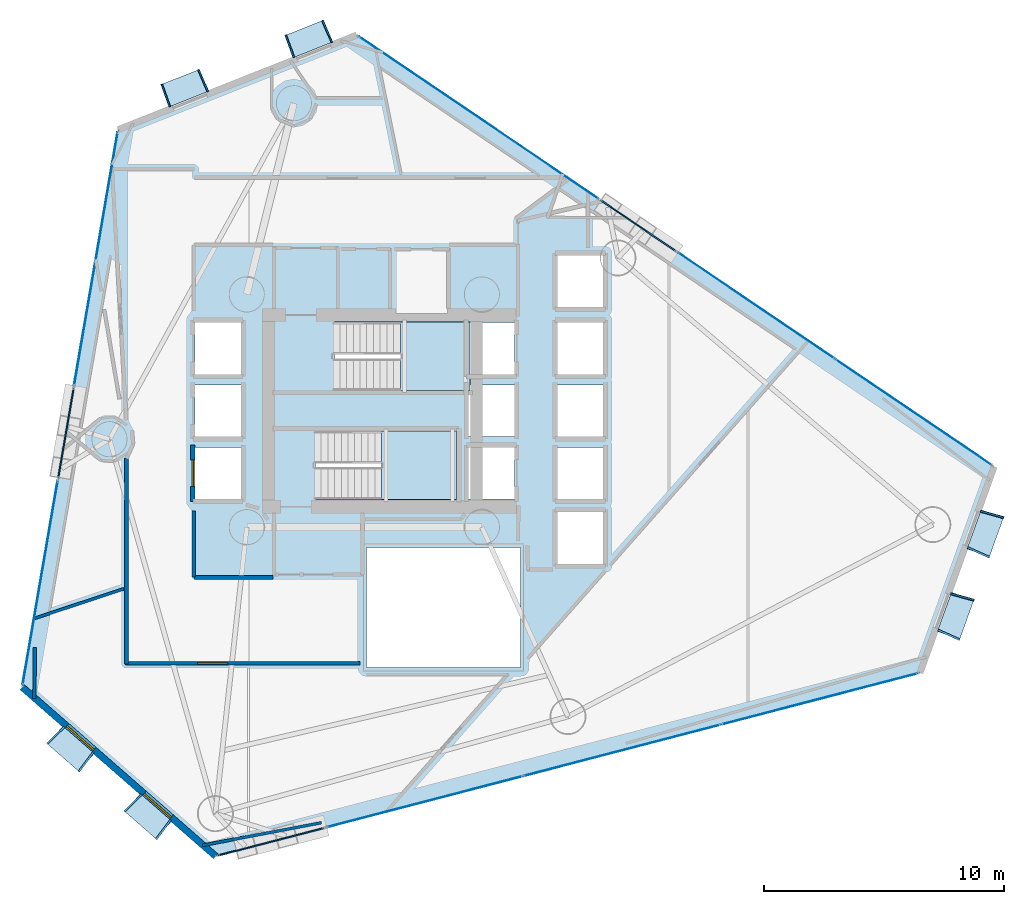
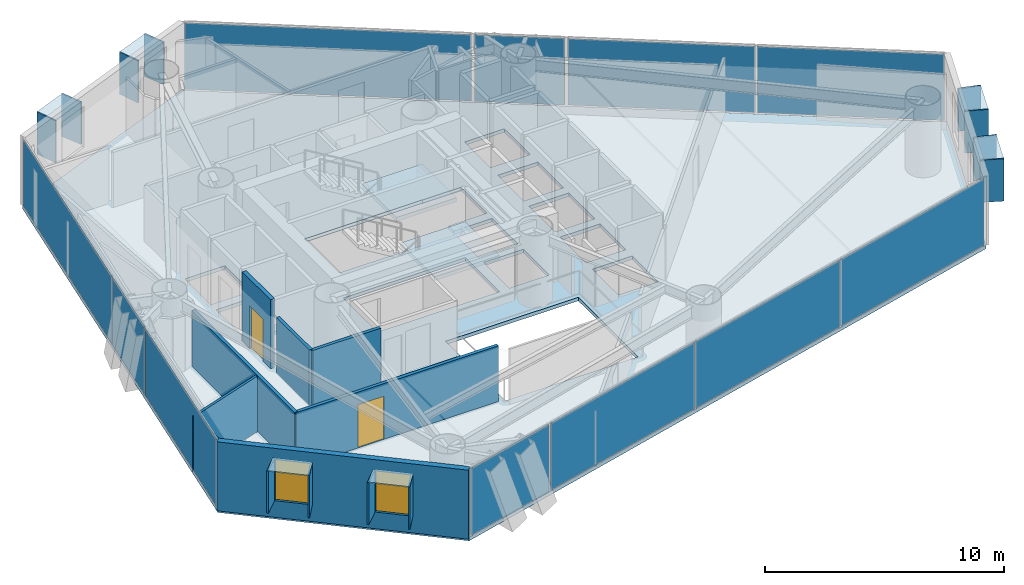
# One storey, part 15 of 21: 29 plates, 9 walls, 3 slabs, 2 doors, 2 windows, 4 openings, 10 elements without a shape of their own.
"""IFC4 building model written with IfcOpenShell, lengths in metres."""

from ifc_helpers import new_model, si_unit, direction, frame, frame_2d, origin, origin_2d, place, context, subcontext, project, spatial, polyline, rectangle, outline, extrude, material, layer, layer_set, type_object, element, fill, aggregate, save


model = new_model("IFC4")

# Units and contexts
model_context = context("Model", 3, precision=1e-05, world=origin(), true_north=direction((0.0, 1.0)))
body_context = subcontext(model_context, "Body", "Model", "MODEL_VIEW")
ifc_project = project(units=[si_unit("LENGTHUNIT", "METRE"), si_unit("AREAUNIT", "SQUARE_METRE"), si_unit("VOLUMEUNIT", "CUBIC_METRE"), si_unit("PLANEANGLEUNIT", "RADIAN"), si_unit("MASSUNIT", "GRAM", prefix="KILO")], contexts=[model_context])

# Site, building, storey
site_placement = place(None, origin())
site = spatial("IfcSite", under=ifc_project, at=site_placement, CompositionType="ELEMENT")
building_placement = place(site_placement, origin())
building = spatial("IfcBuilding", under=site, at=building_placement, Name="Qianvela Tower", CompositionType="ELEMENT")
storey_placement = place(building_placement, frame((0.0, 0.0, 108.89990234375)))
storey = spatial("IfcBuildingStorey", under=building, at=storey_placement, Name="L27", CompositionType="ELEMENT", Elevation=108.89990234375)

# Curtain wall, plate
ifc_material_1 = material(Name="Anodised Architectural Aluminium and Insulated Spandrel Panel", Category="aluminium")
ifc_layer_1 = layer(ifc_material_1, 0.179931640625)
ifc_layer_set_1 = layer_set([ifc_layer_1], Name="Anodised Architectural Aluminium and Insulated Spandrel Panel")
curtain_wall_type_1 = type_object("IfcCurtainWallType", Name="CW-BRACEBAY", PredefinedType="USERDEFINED", material=ifc_layer_set_1)
curtain_wall_1_placement = place(storey_placement, origin())
curtain_wall_1 = element("IfcCurtainWall", 1, at=curtain_wall_1_placement, inside=storey, type_object=curtain_wall_type_1, Name="L27 CW-BRACEBAY Curtain Wall 02B", ObjectType="CURTAIN_WALL_SYSTEM", PredefinedType="USERDEFINED")
ifc_material_2 = material(Name="Insulated Aluminium Spandrel Panel with Mineral-Wool Backpan", Category="aluminium")
ifc_layer_2 = layer(ifc_material_2, 0.06005859375)
ifc_layer_set_2 = layer_set([ifc_layer_2], Name="Insulated Aluminium Spandrel Panel with Mineral-Wool Backpan")
plate_type_1 = type_object("IfcPlateType", Name="CW-BRACEBAY-PNL", PredefinedType="CURTAIN_PANEL", material=ifc_layer_set_2)
plate_1_placement = place(storey_placement, frame((44.91455078125, 36.41748046875, 0.06494140625), z_axis=(0.0, 0.0, 1.0), x_axis=(-0.827943589849, 0.560811387213, 0.0)))
plate_1 = element("IfcPlate", 2, at=plate_1_placement, type_object=plate_type_1, Name="CW-9 panel 1.1", PredefinedType="CURTAIN_PANEL", context=body_context, shape_type="SweptSolid", body=[
    extrude(rectangle(XDim=3.780029296875, YDim=0.06005859375, at=origin_2d()), origin(), (0.0, 0.0, 1.0), 3.389892578125),
])
aggregate(curtain_wall_1, [plate_1])

curtain_wall_2_placement = place(storey_placement, origin())
curtain_wall_2 = element("IfcCurtainWall", 3, at=curtain_wall_2_placement, inside=storey, type_object=curtain_wall_type_1, Name="L27 CW-BRACEBAY Curtain Wall 04B", ObjectType="CURTAIN_WALL_SYSTEM", PredefinedType="USERDEFINED")
plate_2_placement = place(storey_placement, frame((21.06103515625, 27.766357421875, 0.06494140625), z_axis=(0.0, 0.0, 1.0), x_axis=(-0.169514646408, -0.985527668132, 0.0)))
plate_2 = element("IfcPlate", 4, at=plate_2_placement, type_object=plate_type_1, Name="CW-9 panel 1.1", PredefinedType="CURTAIN_PANEL", context=body_context, shape_type="SweptSolid", body=[
    extrude(rectangle(XDim=3.780029296875, YDim=0.06005859375, at=origin_2d()), origin(), (0.0, 0.0, 1.0), 3.389892578125),
])
aggregate(curtain_wall_2, [plate_2])

curtain_wall_3_placement = place(storey_placement, origin())
curtain_wall_3 = element("IfcCurtainWall", 5, at=curtain_wall_3_placement, inside=storey, type_object=curtain_wall_type_1, Name="L27 CW-BRACEBAY Curtain Wall 06A", ObjectType="CURTAIN_WALL_SYSTEM", PredefinedType="USERDEFINED")
plate_3_placement = place(storey_placement, frame((29.614013671875, 10.7373046875, 0.06494140625), z_axis=(0.0, 0.0, 1.0), x_axis=(0.967741276932, 0.251946067487, 0.0)))
plate_3 = element("IfcPlate", 6, at=plate_3_placement, type_object=plate_type_1, Name="CW-9 panel 1.1", PredefinedType="CURTAIN_PANEL", context=body_context, shape_type="SweptSolid", body=[
    extrude(rectangle(XDim=4.550048828125, YDim=0.06005859375, at=origin_2d()), origin(), (0.0, 0.0, 1.0), 3.389892578125),
])
aggregate(curtain_wall_3, [plate_3])

# Curtain wall, plates
ifc_material_3 = material(Name="Anodised Architectural Aluminium and Low-E Glass", Category="aluminium")
ifc_layer_3 = layer(ifc_material_3, 0.169921875)
ifc_layer_set_3 = layer_set([ifc_layer_3], Name="Anodised Architectural Aluminium and Low-E Glass")
curtain_wall_type_2 = type_object("IfcCurtainWallType", Name="CW-COLIV-Z34", PredefinedType="USERDEFINED", material=ifc_layer_set_3)
curtain_wall_4_placement = place(storey_placement, origin())
curtain_wall_4 = element("IfcCurtainWall", 7, at=curtain_wall_4_placement, inside=storey, type_object=curtain_wall_type_2, Name="L27 CW-COLIV-Z34 Curtain Wall 02A", ObjectType="CURTAIN_WALL_SYSTEM", PredefinedType="USERDEFINED")
ifc_material_4 = material(Name="Double-Silver Low-E Insulated Glass", Category="glass")
ifc_layer_4 = layer(ifc_material_4, 0.028076171875)
ifc_layer_set_4 = layer_set([ifc_layer_4], Name="Double-Silver Low-E Insulated Glass")
plate_type_2 = type_object("IfcPlateType", Name="CW-COLIV-Z34-PNL", PredefinedType="CURTAIN_PANEL", material=ifc_layer_set_4)
plate_4_placement = place(storey_placement, frame((56.399169921875, 28.63818359375, 0.06494140625), z_axis=(0.0, 0.0, 1.0), x_axis=(-0.8279314941, 0.560829244135, 0.0)))
plate_4 = element("IfcPlate", 8, at=plate_4_placement, type_object=plate_type_2, Name="CW-4 panel 1.1", PredefinedType="CURTAIN_PANEL", context=body_context, shape_type="SweptSolid", body=[
    extrude(rectangle(XDim=7.857421875, YDim=0.028076171875, at=origin_2d()), origin(), (0.0, 0.0, 1.0), 3.389892578125),
])
plate_5_placement = place(storey_placement, frame((49.83984375, 33.081298828125, 0.06494140625), z_axis=(0.0, 0.0, 1.0), x_axis=(-0.8279314941, 0.560829244135, 0.0)))
plate_5 = element("IfcPlate", 9, at=plate_5_placement, type_object=plate_type_2, Name="CW-4 panel 2.1", PredefinedType="CURTAIN_PANEL", context=body_context, shape_type="SweptSolid", body=[
    extrude(rectangle(XDim=7.857421875, YDim=0.028076171875, at=origin_2d()), origin(), (0.0, 0.0, 1.0), 3.389892578125),
])
aggregate(curtain_wall_4, [plate_4, plate_5])

# Curtain wall, plate
curtain_wall_5_placement = place(storey_placement, origin())
curtain_wall_5 = element("IfcCurtainWall", 10, at=curtain_wall_5_placement, inside=storey, type_object=curtain_wall_type_2, Name="L27 CW-COLIV-Z34 Curtain Wall 02C", ObjectType="CURTAIN_WALL_SYSTEM", PredefinedType="USERDEFINED")
plate_6_placement = place(storey_placement, frame((38.2626953125, 40.92333984375, 0.06494140625), z_axis=(0.0, 0.0, 1.0), x_axis=(-0.827932980815, 0.560827049346, 0.0)))
plate_6 = element("IfcPlate", 11, at=plate_6_placement, type_object=plate_type_2, Name="CW-4 panel 1.1", PredefinedType="CURTAIN_PANEL", context=body_context, shape_type="SweptSolid", body=[
    extrude(rectangle(XDim=12.028564453125, YDim=0.028076171875, at=origin_2d()), origin(), (0.0, 0.0, 1.0), 3.389892578125),
])
aggregate(curtain_wall_5, [plate_6])

curtain_wall_6_placement = place(storey_placement, origin())
curtain_wall_6 = element("IfcCurtainWall", 12, at=curtain_wall_6_placement, inside=storey, type_object=curtain_wall_type_2, Name="L27 CW-COLIV-Z34 Curtain Wall 04A", ObjectType="CURTAIN_WALL_SYSTEM", PredefinedType="USERDEFINED")
plate_7_placement = place(storey_placement, frame((22.310546875, 35.02978515625, 0.06494140625), z_axis=(0.0, 0.0, 1.0), x_axis=(-0.169520699916, -0.985526626885, 0.0)))
plate_7 = element("IfcPlate", 13, at=plate_7_placement, type_object=plate_type_2, Name="CW-4 panel 1.1", PredefinedType="CURTAIN_PANEL", context=body_context, shape_type="SweptSolid", body=[
    extrude(rectangle(XDim=10.699951171875, YDim=0.028076171875, at=origin_2d()), origin(), (0.0, 0.0, 1.0), 3.389892578125),
])
aggregate(curtain_wall_6, [plate_7])

curtain_wall_7_placement = place(storey_placement, origin())
curtain_wall_7 = element("IfcCurtainWall", 14, at=curtain_wall_7_placement, inside=storey, type_object=curtain_wall_type_2, Name="L27 CW-COLIV-Z34 Curtain Wall 04C", ObjectType="CURTAIN_WALL_SYSTEM", PredefinedType="USERDEFINED")
plate_8_placement = place(storey_placement, frame((19.989013671875, 21.533935546875, 0.06494140625), z_axis=(0.0, 0.0, 1.0), x_axis=(-0.169522519491, -0.985526313898, 0.0)))
plate_8 = element("IfcPlate", 15, at=plate_8_placement, type_object=plate_type_2, Name="CW-4 panel 1.1", PredefinedType="CURTAIN_PANEL", context=body_context, shape_type="SweptSolid", body=[
    extrude(rectangle(XDim=8.608154296875, YDim=0.028076171875, at=origin_2d()), origin(), (0.0, 0.0, 1.0), 3.389892578125),
])
aggregate(curtain_wall_7, [plate_8])

# Curtain wall, plates
curtain_wall_8_placement = place(storey_placement, origin())
curtain_wall_8 = element("IfcCurtainWall", 16, at=curtain_wall_8_placement, inside=storey, type_object=curtain_wall_type_2, Name="L27 CW-COLIV-Z34 Curtain Wall 06B", ObjectType="CURTAIN_WALL_SYSTEM", PredefinedType="USERDEFINED")
plate_9_placement = place(storey_placement, frame((36.015625, 12.404052734375, 0.06494140625), z_axis=(0.0, 0.0, 1.0), x_axis=(0.9677404567, 0.251949218028, 0.0)))
plate_9 = element("IfcPlate", 17, at=plate_9_placement, type_object=plate_type_2, Name="CW-4 panel 1.1", PredefinedType="CURTAIN_PANEL", context=body_context, shape_type="SweptSolid", body=[
    extrude(rectangle(XDim=8.42041015625, YDim=0.028076171875, at=origin_2d()), origin(), (0.0, 0.0, 1.0), 3.389892578125),
])
plate_10_placement = place(storey_placement, frame((44.2431640625, 14.546142578125, 0.06494140625), z_axis=(0.0, 0.0, 1.0), x_axis=(0.9677404567, 0.251949218028, 0.0)))
plate_10 = element("IfcPlate", 18, at=plate_10_placement, type_object=plate_type_2, Name="CW-4 panel 2.1", PredefinedType="CURTAIN_PANEL", context=body_context, shape_type="SweptSolid", body=[
    extrude(rectangle(XDim=8.452880859375, YDim=0.028076171875, at=origin_2d()), origin(), (0.0, 0.0, 1.0), 3.389892578125),
])
plate_11_placement = place(storey_placement, frame((52.470703125, 16.68798828125, 0.06494140625), z_axis=(0.0, 0.0, 1.0), x_axis=(0.9677404567, 0.251949218028, 0.0)))
plate_11 = element("IfcPlate", 19, at=plate_11_placement, type_object=plate_type_2, Name="CW-4 panel 3.1", PredefinedType="CURTAIN_PANEL", context=body_context, shape_type="SweptSolid", body=[
    extrude(rectangle(XDim=8.42041015625, YDim=0.028076171875, at=origin_2d()), origin(), (0.0, 0.0, 1.0), 3.389892578125),
])
aggregate(curtain_wall_8, [plate_9, plate_10, plate_11])

# Slab
ifc_material_5 = material(Name="Concrete C40", Category="concrete")
ifc_layer_5 = layer(ifc_material_5, 0.179931640625)
ifc_layer_set_5 = layer_set([ifc_layer_5], Name="Concrete C40")
slab_type_1 = type_object("IfcSlabType", Name="SL-FLOOR-180", PredefinedType="FLOOR", material=ifc_layer_set_5)
slab_1_placement = place(storey_placement, frame((0.0, 0.0, -0.179931640625)))
element("IfcSlab", 20, at=slab_1_placement, inside=storey, type_object=slab_type_1, Name="L27 Composite Structural Floor Slab", PredefinedType="FLOOR", context=body_context, shape_type="SweptSolid", body=[
    extrude(outline(polyline([(56.656494140625, 17.77783203125), (59.7470703125, 26.370361328125), (33.188232421875, 44.36083984375), (23.23681640625, 40.41552734375), (19.239990234375, 17.1787109375), (27.301025390625, 10.13525390625), (56.656494140625, 17.77783203125)]), holes=[polyline([(40.0, 23.0), (33.60009765625, 23.0), (33.60009765625, 18.0), (40.0, 18.0), (40.0, 23.0)]), polyline([(28.360107421875, 25.02001953125), (28.360107421875, 27.179931640625), (26.43994140625, 27.179931640625), (26.43994140625, 25.02001953125), (28.360107421875, 25.02001953125)]), polyline([(37.35009765625, 25.0), (37.35009765625, 27.860107421875), (31.469970703125, 27.860107421875), (31.469970703125, 25.0), (37.35009765625, 25.0)]), polyline([(28.360107421875, 27.6201171875), (28.360107421875, 29.780029296875), (26.43994140625, 29.780029296875), (26.43994140625, 27.6201171875), (28.360107421875, 27.6201171875)]), polyline([(37.89990234375, 32.3798828125), (37.89990234375, 32.39990234375), (32.25, 32.39990234375), (32.25, 29.5400390625), (37.840087890625, 29.5400390625), (37.840087890625, 27.6201171875), (39.760009765625, 27.6201171875), (39.760009765625, 29.780029296875), (37.89990234375, 29.780029296875), (37.89990234375, 30.219970703125), (39.760009765625, 30.219970703125), (39.760009765625, 32.3798828125), (37.89990234375, 32.3798828125)]), polyline([(28.360107421875, 30.219970703125), (28.360107421875, 32.3798828125), (26.43994140625, 32.3798828125), (26.43994140625, 30.219970703125), (28.360107421875, 30.219970703125)]), polyline([(43.4599609375, 24.47998046875), (41.5400390625, 24.47998046875), (41.5400390625, 22.320068359375), (43.4599609375, 22.320068359375), (43.4599609375, 24.47998046875)]), polyline([(39.760009765625, 25.02001953125), (39.760009765625, 27.179931640625), (37.840087890625, 27.179931640625), (37.840087890625, 25.02001953125), (39.760009765625, 25.02001953125)]), polyline([(43.4599609375, 25.02001953125), (43.4599609375, 27.179931640625), (41.5400390625, 27.179931640625), (41.5400390625, 25.02001953125), (43.4599609375, 25.02001953125)]), polyline([(43.4599609375, 27.6201171875), (43.4599609375, 29.780029296875), (41.5400390625, 29.780029296875), (41.5400390625, 27.6201171875), (43.4599609375, 27.6201171875)]), polyline([(43.4599609375, 30.219970703125), (43.4599609375, 32.3798828125), (41.5400390625, 32.3798828125), (41.5400390625, 30.219970703125), (43.4599609375, 30.219970703125)]), polyline([(43.4599609375, 33.02001953125), (43.4599609375, 35.179931640625), (41.5400390625, 35.179931640625), (41.5400390625, 33.02001953125), (43.4599609375, 33.02001953125)])]), origin(), (0.0, 0.0, 1.0), 0.179931640625),
])

# Stair, slab
ifc_material_6 = material(Name="Concrete C40", Category="concrete")
stair_type = type_object("IfcStairType", Name="ST-DOGLEG-1350-R168-N22", PredefinedType="HALF_TURN_STAIR", material=ifc_material_6)
stair_1_placement = place(storey_placement, origin())
stair_1 = element("IfcStair", 21, at=stair_1_placement, inside=storey, type_object=stair_type, Name="L27 Smoke-Proof Core Stair ST-1", PredefinedType="HALF_TURN_STAIR")
ifc_material_7 = material(Name="Concrete C40", Category="concrete")
ifc_layer_6 = layer(ifc_material_7, 0.199951171875)
ifc_layer_set_6 = layer_set([ifc_layer_6], Name="Concrete C40")
slab_type_2 = type_object("IfcSlabType", Name="SL-STAIR-LANDING-200", PredefinedType="LANDING", material=ifc_layer_set_6)
slab_2_placement = place(storey_placement, frame((0.0, 0.0, 1.650146484375)))
slab_2 = element("IfcSlab", 22, at=slab_2_placement, type_object=slab_type_2, Name="ST-1 landing 1", PredefinedType="LANDING", context=body_context, shape_type="SweptSolid", body=[
    extrude(outline(polyline([(35.0, 29.5400390625), (37.89990234375, 29.5400390625), (37.89990234375, 32.39990234375), (35.0, 32.39990234375), (35.0, 29.5400390625)])), origin(), (0.0, 0.0, 1.0), 0.199951171875),
])
aggregate(stair_1, [slab_2])

stair_2_placement = place(storey_placement, origin())
stair_2 = element("IfcStair", 23, at=stair_2_placement, inside=storey, type_object=stair_type, Name="L27 Smoke-Proof Core Stair ST-2", PredefinedType="HALF_TURN_STAIR")
slab_3_placement = place(storey_placement, frame((0.0, 0.0, 1.650146484375)))
slab_3 = element("IfcSlab", 24, at=slab_3_placement, type_object=slab_type_2, Name="ST-2 landing 1", PredefinedType="LANDING", context=body_context, shape_type="SweptSolid", body=[
    extrude(outline(polyline([(34.219970703125, 25.0), (37.35009765625, 25.0), (37.35009765625, 27.860107421875), (34.219970703125, 27.860107421875), (34.219970703125, 25.0)])), origin(), (0.0, 0.0, 1.0), 0.199951171875),
])
aggregate(stair_2, [slab_3])

# Plates
ifc_material_8 = material(Name="Vitrified Architectural Terracotta Panel", Category="masonry")
ifc_layer_7 = layer(ifc_material_8, 0.06494140625)
ifc_layer_set_7 = layer_set([ifc_layer_7], Name="Vitrified Architectural Terracotta Panel")
plate_type_3 = type_object("IfcPlateType", Name="TERRACOTTA-SUNSHADE-HOOD-FOLD-B", PredefinedType="USERDEFINED", material=ifc_layer_set_7)
for number, where, z_axis, x_axis, name in (
    (25, (31.17333984375, 44.2021484375, 2.9599609375), (0.0, 0.0, 1.0), (-0.929609983774, -0.368544811479, 0.0), "L27 Terracotta Sunshade Hood FOLD-B"),
    (26, (26.0029296875, 42.15234375, 2.9599609375), (0.0, 0.0, 1.0), (-0.929609983774, -0.368544811479, 0.0), "L27 Terracotta Sunshade Hood FOLD-B"),
):
    element("IfcPlate", number, at=place(storey_placement, frame(where, z_axis=z_axis, x_axis=x_axis)), inside=storey, type_object=plate_type_3, Name=name, ObjectType="SUNSHADE", PredefinedType="USERDEFINED", context=body_context, shape_type="SweptSolid", body=[
        extrude(rectangle(XDim=1.739990234375, YDim=0.989990234375, at=origin_2d()), origin(), (0.0, 0.0, 1.0), 0.06005859375),
    ])
ifc_material_9 = material(Name="Vitrified Architectural Terracotta Panel", Category="masonry")
ifc_layer_8 = layer(ifc_material_9, 0.074951171875)
ifc_layer_set_8 = layer_set([ifc_layer_8], Name="Vitrified Architectural Terracotta Panel")
plate_type_4 = type_object("IfcPlateType", Name="TERRACOTTA-SUNSHADE-HOOD-FOLD-D", PredefinedType="USERDEFINED", material=ifc_layer_set_8)
for number, where, z_axis, x_axis, name in (
    (27, (58.1435546875, 20.154296875, 2.9599609375), (0.0, 0.0, 1.0), (0.338463667357, 0.940979460923, 0.0), "L27 Terracotta Sunshade Hood FOLD-D"),
    (28, (59.3798828125, 23.59130859375, 2.9599609375), (0.0, 0.0, 1.0), (0.338463667357, 0.940979460923, 0.0), "L27 Terracotta Sunshade Hood FOLD-D"),
    (29, (21.2666015625, 14.61767578125, 2.9599609375), (0.0, 0.0, 1.0), (0.753033078035, -0.657982661919, 0.0), "L27 Terracotta Sunshade Hood FOLD-D"),
    (30, (24.4912109375, 11.80029296875, 2.9599609375), (0.0, 0.0, 1.0), (0.753033078035, -0.657982661919, 0.0), "L27 Terracotta Sunshade Hood FOLD-D"),
):
    element("IfcPlate", number, at=place(storey_placement, frame(where, z_axis=z_axis, x_axis=x_axis)), inside=storey, type_object=plate_type_4, Name=name, ObjectType="SUNSHADE", PredefinedType="USERDEFINED", context=body_context, shape_type="SweptSolid", body=[
        extrude(rectangle(XDim=1.739990234375, YDim=0.989990234375, at=origin_2d()), origin(), (0.0, 0.0, 1.0), 0.06005859375),
    ])
ifc_material_10 = material(Name="Vitrified Architectural Terracotta Side Fin Panel", Category="masonry")
ifc_layer_9 = layer(ifc_material_10, 0.070068359375)
ifc_layer_set_9 = layer_set([ifc_layer_9], Name="Vitrified Architectural Terracotta Side Fin Panel")
plate_type_5 = type_object("IfcPlateType", Name="TERRACOTTA-SUNSHADE-STRUT-FOLD-B", PredefinedType="USERDEFINED", material=ifc_layer_set_9)
for number, where, z_axis, x_axis, name in (
    (31, (31.954345703125, 44.51171875, 0.85009765625), (0.0, 0.0, 1.0), (-0.917921594566, -0.396761825571, 0.0), "L27 Terracotta Sunshade Side Fin HL FOLD-B"),
    (32, (30.392578125, 43.892578125, 0.85009765625), (0.0, 0.0, 1.0), (-0.940431215753, -0.339984012032, 0.0), "L27 Terracotta Sunshade Side Fin HR FOLD-B"),
    (33, (26.783935546875, 42.4619140625, 0.85009765625), (0.0, 0.0, 1.0), (-0.917921594566, -0.396761825571, 0.0), "L27 Terracotta Sunshade Side Fin HL FOLD-B"),
    (34, (25.22216796875, 41.8427734375, 0.85009765625), (0.0, 0.0, 1.0), (-0.940431215753, -0.339984012032, 0.0), "L27 Terracotta Sunshade Side Fin HR FOLD-B"),
):
    element("IfcPlate", number, at=place(storey_placement, frame(where, z_axis=z_axis, x_axis=x_axis)), inside=storey, type_object=plate_type_5, Name=name, ObjectType="SUNSHADE", PredefinedType="USERDEFINED", context=body_context, shape_type="SweptSolid", body=[
        extrude(rectangle(XDim=0.070068359375, YDim=1.010009765625, at=origin_2d()), origin(), (0.0, 0.0, 1.0), 2.159912109375),
    ])
ifc_material_11 = material(Name="Vitrified Architectural Terracotta Side Fin Panel", Category="masonry")
ifc_layer_10 = layer(ifc_material_11, 0.080078125)
ifc_layer_set_10 = layer_set([ifc_layer_10], Name="Vitrified Architectural Terracotta Side Fin Panel")
plate_type_6 = type_object("IfcPlateType", Name="TERRACOTTA-SUNSHADE-STRUT-FOLD-D", PredefinedType="USERDEFINED", material=ifc_layer_set_10)
for number, where, z_axis, x_axis, name in (
    (35, (57.859130859375, 19.36376953125, 0.85009765625), (0.0, 0.0, 1.0), (0.407267522075, 0.913308910207, 0.0), "L27 Terracotta Sunshade Side Fin HL FOLD-D"),
    (36, (58.427734375, 20.944580078125, 0.85009765625), (0.0, 0.0, 1.0), (0.267798387767, 0.963474972954, 0.0), "L27 Terracotta Sunshade Side Fin HR FOLD-D"),
    (37, (59.095458984375, 22.80078125, 0.85009765625), (0.0, 0.0, 1.0), (0.407267522075, 0.913308910207, 0.0), "L27 Terracotta Sunshade Side Fin HL FOLD-D"),
    (38, (59.6640625, 24.381591796875, 0.85009765625), (0.0, 0.0, 1.0), (0.267798387767, 0.963474972954, 0.0), "L27 Terracotta Sunshade Side Fin HR FOLD-D"),
    (39, (20.63427734375, 15.17041015625, 0.85009765625), (0.0, 0.0, 1.0), (0.702200274807, -0.711979475871, 0.0), "L27 Terracotta Sunshade Side Fin HL FOLD-D"),
    (40, (21.8994140625, 14.06494140625, 0.85009765625), (0.0, 0.0, 1.0), (0.799724478106, -0.60036718691, 0.0), "L27 Terracotta Sunshade Side Fin HR FOLD-D"),
    (41, (23.858642578125, 12.352783203125, 0.85009765625), (0.0, 0.0, 1.0), (0.702200274807, -0.711979475871, 0.0), "L27 Terracotta Sunshade Side Fin HL FOLD-D"),
    (42, (25.123779296875, 11.24755859375, 0.85009765625), (0.0, 0.0, 1.0), (0.799724478106, -0.60036718691, 0.0), "L27 Terracotta Sunshade Side Fin HR FOLD-D"),
):
    element("IfcPlate", number, at=place(storey_placement, frame(where, z_axis=z_axis, x_axis=x_axis)), inside=storey, type_object=plate_type_6, Name=name, ObjectType="SUNSHADE", PredefinedType="USERDEFINED", context=body_context, shape_type="SweptSolid", body=[
        extrude(rectangle(XDim=0.080078125, YDim=1.010009765625, at=origin_2d()), origin(), (0.0, 0.0, 1.0), 2.159912109375),
    ])

# Wall, openings, windows
ifc_material_12 = material(Name="Terracotta Cladding on Concrete C40", Category="masonry")
ifc_layer_11 = layer(ifc_material_12, 0.280029296875)
ifc_layer_set_11 = layer_set([ifc_layer_11], Name="Terracotta Cladding on Concrete C40")
wall_type_1 = type_object("IfcWallType", Name="TERRACOTTA-WALL-280", PredefinedType="SOLIDWALL", material=ifc_layer_set_11)
wall_1_placement = place(storey_placement, frame((19.239990234375, 17.1787109375, 0.0), z_axis=(0.0, 0.0, 1.0), x_axis=(0.753037088213, -0.657978072413, 0.0)))
wall_1 = element("IfcWall", 43, at=wall_1_placement, inside=storey, type_object=wall_type_1, Name="L27 Terracotta Chamfer Facet Wall 5", PredefinedType="SOLIDWALL", context=body_context, shape_type="SweptSolid", body=[
    extrude(rectangle(XDim=10.70458984375, YDim=0.280029296875, at=frame_2d((5.352294921875, 0.0))), origin(), (0.0, 0.0, 1.0), 3.52001953125),
])
opening_1_placement = place(wall_1_placement, frame((2.46142578125, 0.0, 0.85009765625)))
opening_1 = element("IfcOpeningElement", 44, at=opening_1_placement, cuts=wall_1, Name="Opening W-02", PredefinedType="OPENING", context=body_context, shape_type="SweptSolid", body=[
    extrude(rectangle(XDim=1.5, YDim=2.10009765625, at=frame_2d((0.75, 1.050048828125))), frame((0.0, 0.14990234375, 0.0), z_axis=(0.0, -1.0, 0.0), x_axis=(1.0, 0.0, 0.0)), (0.0, 0.0, 1.0), 0.300048828125),
])
opening_2_placement = place(wall_1_placement, frame((6.743408203125, 0.0, 0.85009765625)))
opening_2 = element("IfcOpeningElement", 45, at=opening_2_placement, cuts=wall_1, Name="Opening W-02", PredefinedType="OPENING", context=body_context, shape_type="SweptSolid", body=[
    extrude(rectangle(XDim=1.5, YDim=2.10009765625, at=frame_2d((0.75, 1.050048828125))), frame((0.0, 0.14990234375, 0.0), z_axis=(0.0, -1.0, 0.0), x_axis=(1.0, 0.0, 0.0)), (0.0, 0.0, 1.0), 0.300048828125),
])
ifc_material_13 = material(Name="Thermally Broken Aluminium and Low-E Glass", Category="aluminium")
window_type = type_object("IfcWindowType", Name="WIN-TC-1500x2100", PartitioningType="DOUBLE_PANEL_VERTICAL", PredefinedType="WINDOW", material=ifc_material_13)
window_1_placement = place(opening_1_placement, origin())
window_1 = element("IfcWindow", 46, at=window_1_placement, inside=storey, type_object=window_type, Name="L27 Chamfer Facet Window 5.1", OverallHeight=2.10009765625, OverallWidth=1.5, PartitioningType="SINGLE_PANEL", PredefinedType="WINDOW", context=body_context, shape_type="SweptSolid", body=[
    extrude(rectangle(XDim=1.5, YDim=2.10009765625, at=frame_2d((0.75, 1.050048828125))), frame((0.0, 0.030029296875, 0.0), z_axis=(0.0, -1.0, 0.0), x_axis=(1.0, 0.0, 0.0)), (0.0, 0.0, 1.0), 0.06005859375),
])
fill(opening_1, window_1)
window_2_placement = place(opening_2_placement, origin())
window_2 = element("IfcWindow", 47, at=window_2_placement, inside=storey, type_object=window_type, Name="L27 Chamfer Facet Window 5.2", OverallHeight=2.10009765625, OverallWidth=1.5, PartitioningType="SINGLE_PANEL", PredefinedType="WINDOW", context=body_context, shape_type="SweptSolid", body=[
    extrude(rectangle(XDim=1.5, YDim=2.10009765625, at=frame_2d((0.75, 1.050048828125))), frame((0.0, 0.030029296875, 0.0), z_axis=(0.0, -1.0, 0.0), x_axis=(1.0, 0.0, 0.0)), (0.0, 0.0, 1.0), 0.06005859375),
])
fill(opening_2, window_2)

# Walls
ifc_material_14 = material(Name="Fire-Rated Gypsum and Concrete Block", Category="concrete")
ifc_layer_12 = layer(ifc_material_14, 0.159912109375)
ifc_layer_set_12 = layer_set([ifc_layer_12], Name="Fire-Rated Gypsum and Concrete Block")
wall_type_2 = type_object("IfcWallType", Name="WT-CORR-160", PredefinedType="PARTITIONING", material=ifc_layer_set_12)
wall_2_placement = place(storey_placement, frame((26.388916015625, 24.530517578125, 0.0), z_axis=(0.0, 0.0, 1.0), x_axis=(0.0, -1.0, 0.0)))
element("IfcWall", 48, at=wall_2_placement, inside=storey, type_object=wall_type_2, Name="L27 Partition 49", PredefinedType="PARTITIONING", context=body_context, shape_type="SweptSolid", body=[
    extrude(rectangle(XDim=2.75048828125, YDim=0.159912109375, at=frame_2d((1.375244140625, 0.0))), origin(), (0.0, 0.0, 1.0), 2.840087890625),
])
wall_3_placement = place(storey_placement, frame((26.419921875, 21.7490234375, 0.0), z_axis=(0.0, 0.0, 1.0), x_axis=(1.0, 0.0, 0.0)))
element("IfcWall", 49, at=wall_3_placement, inside=storey, type_object=wall_type_2, Name="L27 Partition 50 seg 1", PredefinedType="PARTITIONING", context=body_context, shape_type="SweptSolid", body=[
    extrude(rectangle(XDim=3.280029296875, YDim=0.159912109375, at=frame_2d((1.64013671875, 0.0))), origin(), (0.0, 0.0, 1.0), 2.840087890625),
])

# Wall, opening, door
wall_4_placement = place(storey_placement, frame((33.320068359375, 18.180908203125, 0.0), z_axis=(0.0, 0.0, 1.0), x_axis=(-1.0, 0.0, 0.0)))
wall_4 = element("IfcWall", 50, at=wall_4_placement, inside=storey, type_object=wall_type_2, Name="L27 Partition 51", PredefinedType="PARTITIONING", context=body_context, shape_type="SweptSolid", body=[
    extrude(rectangle(XDim=9.77001953125, YDim=0.159912109375, at=frame_2d((4.885009765625, 0.0))), origin(), (0.0, 0.0, 1.0), 2.840087890625),
])
opening_3_placement = place(wall_4_placement, frame((5.52001953125, 0.0, 0.0)))
opening_3 = element("IfcOpeningElement", 51, at=opening_3_placement, cuts=wall_4, Name="Opening D-LG1", PredefinedType="OPENING", context=body_context, shape_type="SweptSolid", body=[
    extrude(rectangle(XDim=1.25, YDim=2.199951171875, at=frame_2d((0.625, 1.10009765625))), frame((0.0, 0.08984375, 0.0), z_axis=(0.0, -1.0, 0.0), x_axis=(1.0, 0.0, 0.0)), (0.0, 0.0, 1.0), 0.179931640625),
])
ifc_material_15 = material(Name="Anodised Aluminium Acoustic Glass Door", Category="aluminium")
door_type_1 = type_object("IfcDoorType", Name="DT-LOUNGE-1250", OperationType="NOTDEFINED", PredefinedType="DOOR", material=ifc_material_15)
door_1_placement = place(opening_3_placement, origin())
door_1 = element("IfcDoor", 52, at=door_1_placement, inside=storey, type_object=door_type_1, Name="L27 Door Collaborative Co-working Office L27-01A to L27 Floor Corridor", OperationType="SINGLE_SWING_LEFT", OverallHeight=2.199951171875, OverallWidth=1.25, PredefinedType="DOOR", context=body_context, shape_type="SweptSolid", body=[
    extrude(rectangle(XDim=1.25, YDim=2.199951171875, at=frame_2d((0.625, 1.10009765625))), frame((0.0, 0.02490234375, 0.0), z_axis=(0.0, -1.0, 0.0), x_axis=(1.0, 0.0, 0.0)), (0.0, 0.0, 1.0), 0.050048828125),
])
fill(opening_3, door_1)

# Walls
wall_5_placement = place(storey_placement, frame((23.5810546875, 18.14990234375, 0.0), z_axis=(0.0, 0.0, 1.0), x_axis=(0.0, 1.0, 0.0)))
element("IfcWall", 53, at=wall_5_placement, inside=storey, type_object=wall_type_2, Name="L27 Partition 52", PredefinedType="PARTITIONING", context=body_context, shape_type="SweptSolid", body=[
    extrude(rectangle(XDim=8.575439453125, YDim=0.159912109375, at=frame_2d((4.28759765625, 0.0))), origin(), (0.0, 0.0, 1.0), 2.840087890625),
])
ifc_material_16 = material(Name="Insulated Gypsum Stud Partition")
ifc_layer_13 = layer(ifc_material_16, 0.1201171875)
ifc_layer_set_13 = layer_set([ifc_layer_13], Name="Insulated Gypsum Stud Partition")
wall_type_3 = type_object("IfcWallType", Name="WT-PART-120", PredefinedType="PARTITIONING", material=ifc_layer_set_13)
wall_6_placement = place(storey_placement, frame((31.71533203125, 11.532470703125, 0.0), z_axis=(0.0, 0.0, 1.0), x_axis=(-0.982370304225, -0.186945407476, 0.0)))
element("IfcWall", 54, at=wall_6_placement, inside=storey, type_object=wall_type_3, Name="L27 Partition 58 seg 1", PredefinedType="PARTITIONING", context=body_context, shape_type="SweptSolid", body=[
    extrude(rectangle(XDim=5.04736328125, YDim=0.1201171875, at=frame_2d((2.523681640625, 0.0))), origin(), (0.0, 0.0, 1.0), 2.840087890625),
])
wall_7_placement = place(storey_placement, frame((19.713134765625, 20.0341796875, 0.0), z_axis=(0.0, 0.0, 1.0), x_axis=(0.949321292103, 0.314307308793, 0.0)))
element("IfcWall", 55, at=wall_7_placement, inside=storey, type_object=wall_type_3, Name="L27 Partition 61", PredefinedType="PARTITIONING", context=body_context, shape_type="SweptSolid", body=[
    extrude(rectangle(XDim=3.9677734375, YDim=0.1201171875, at=frame_2d((1.98388671875, 0.0))), origin(), (0.0, 0.0, 1.0), 2.840087890625),
])
ifc_material_17 = material(Name="Acoustic Double Gypsum Stud Partition")
ifc_layer_14 = layer(ifc_material_17, 0.139892578125)
ifc_layer_set_14 = layer_set([ifc_layer_14], Name="Acoustic Double Gypsum Stud Partition")
wall_type_4 = type_object("IfcWallType", Name="WT-ROOM-140", PredefinedType="PARTITIONING", material=ifc_layer_set_14)
wall_8_placement = place(storey_placement, frame((19.74462890625, 16.715087890625, 0.0), z_axis=(0.0, 0.0, 1.0), x_axis=(0.011705843153, 0.999931484271, 0.0)))
element("IfcWall", 56, at=wall_8_placement, inside=storey, type_object=wall_type_4, Name="L27 Partition 60 seg 1", PredefinedType="PARTITIONING", context=body_context, shape_type="SweptSolid", body=[
    extrude(rectangle(XDim=2.12744140625, YDim=0.139892578125, at=frame_2d((1.063720703125, 0.0))), origin(), (0.0, 0.0, 1.0), 2.840087890625),
])

# Wall, opening, door
ifc_material_18 = material(Name="Concrete C50", Category="concrete")
ifc_layer_15 = layer(ifc_material_18, 0.199951171875)
ifc_layer_set_15 = layer_set([ifc_layer_15], Name="Concrete C50")
wall_type_5 = type_object("IfcWallType", Name="WT-SHAFT-200", PredefinedType="SOLIDWALL", material=ifc_layer_set_15)
wall_9_placement = place(storey_placement, frame((26.35009765625, 24.919921875, 0.0), z_axis=(0.0, 0.0, 1.0), x_axis=(0.0, 1.0, 0.0)))
wall_9 = element("IfcWall", 57, at=wall_9_placement, inside=storey, type_object=wall_type_5, Name="L27 Lift PL-L3 W Shaft Wall", PredefinedType="SOLIDWALL", context=body_context, shape_type="SweptSolid", body=[
    extrude(rectangle(XDim=2.360107421875, YDim=0.199951171875, at=frame_2d((1.18017578125, 0.0))), origin(), (0.0, 0.0, 1.0), 3.52001953125),
])
opening_4_placement = place(wall_9_placement, frame((0.6298828125, 0.0, 0.0)))
opening_4 = element("IfcOpeningElement", 58, at=opening_4_placement, cuts=wall_9, Name="Opening LD-01", PredefinedType="OPENING", context=body_context, shape_type="SweptSolid", body=[
    extrude(rectangle(XDim=1.10009765625, YDim=2.14990234375, at=frame_2d((0.550048828125, 1.074951171875))), frame((0.0, 0.10986328125, 0.0), z_axis=(0.0, -1.0, 0.0), x_axis=(1.0, 0.0, 0.0)), (0.0, 0.0, 1.0), 0.219970703125),
])
ifc_material_19 = material(Name="Brushed Stainless Steel Lift Landing Door", Category="steel")
door_type_2 = type_object("IfcDoorType", Name="DT-LIFT-SLIDE-1100", OperationType="SLIDING_TO_LEFT", PredefinedType="DOOR", material=ifc_material_19)
door_2_placement = place(opening_4_placement, origin())
door_2 = element("IfcDoor", 59, at=door_2_placement, inside=storey, type_object=door_type_2, Name="L27 Lift PL-L3 Sliding Landing Door", OperationType="SLIDING_TO_LEFT", OverallHeight=2.14990234375, OverallWidth=1.10009765625, PredefinedType="DOOR", context=body_context, shape_type="SweptSolid", body=[
    extrude(rectangle(XDim=1.10009765625, YDim=2.14990234375, at=frame_2d((0.550048828125, 1.074951171875))), frame((0.0, 0.02490234375, 0.0), z_axis=(0.0, -1.0, 0.0), x_axis=(1.0, 0.0, 0.0)), (0.0, 0.0, 1.0), 0.050048828125),
])
fill(opening_4, door_2)

save(model, "model.ifc")
